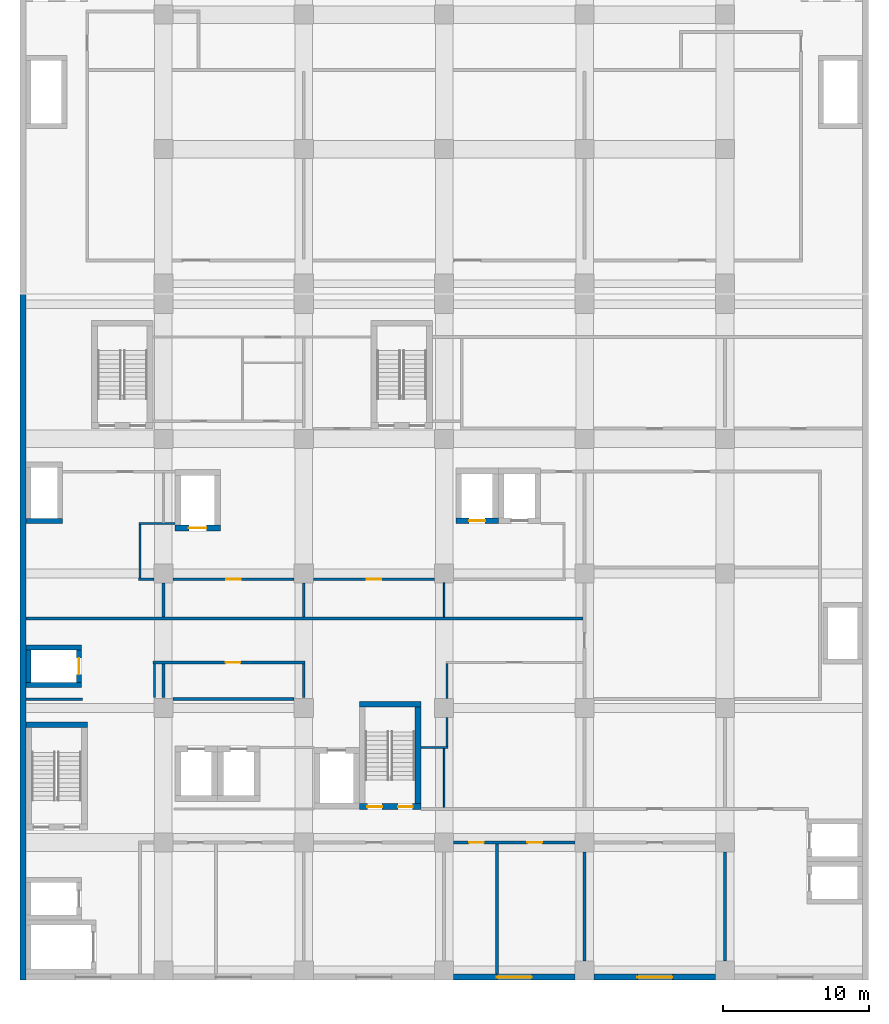
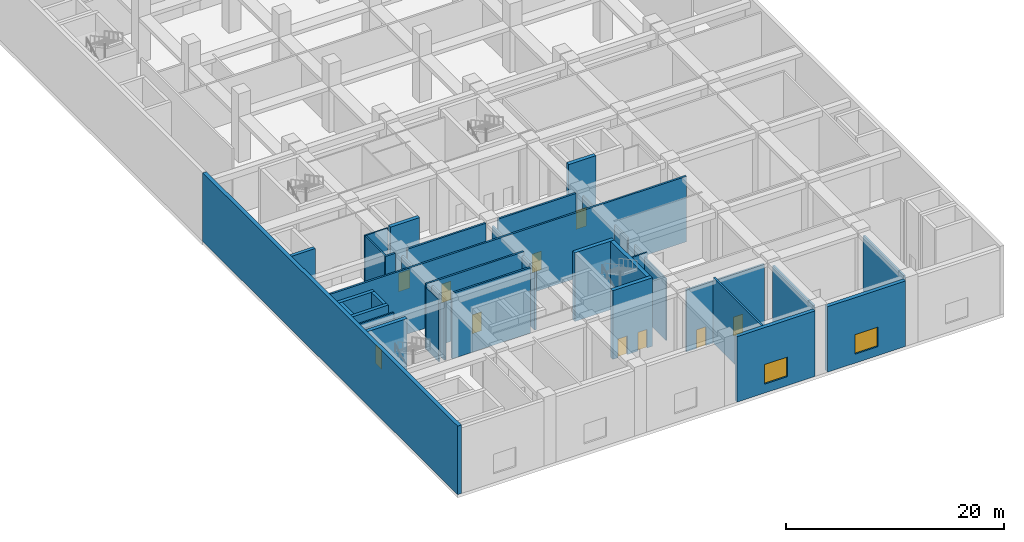
# One storey, part 12 of 33: 37 walls, 10 doors, 2 windows, 12 openings.
"""IFC4 building model written with IfcOpenShell, lengths in metres."""

from ifc_helpers import new_model, si_unit, direction, frame, frame_2d, origin, place, context, subcontext, project, spatial, rectangle, extrude, material, layer, layer_set, layer_usage, type_object, element, fill, save


model = new_model("IFC4")

# Units and contexts
model_context = context("Model", 3, precision=1e-05, world=origin(), true_north=direction((0.0, 1.0)))
body_context = subcontext(model_context, "Body", "Model", "MODEL_VIEW")
ifc_project = project(units=[si_unit("LENGTHUNIT", "METRE"), si_unit("AREAUNIT", "SQUARE_METRE"), si_unit("VOLUMEUNIT", "CUBIC_METRE"), si_unit("PLANEANGLEUNIT", "RADIAN"), si_unit("MASSUNIT", "GRAM", prefix="KILO")], contexts=[model_context])

# Site, building, storey
site_placement = place(None, origin())
site = spatial("IfcSite", under=ifc_project, at=site_placement, CompositionType="ELEMENT")
building_placement = place(site_placement, origin())
building = spatial("IfcBuilding", under=site, at=building_placement, Name="Nzadi Deep Aquarium and Research Tower", CompositionType="ELEMENT")
storey_placement = place(building_placement, frame((0.0, 0.0, 6.5)))
storey = spatial("IfcBuildingStorey", under=building, at=storey_placement, Name="L01", CompositionType="ELEMENT", Elevation=6.5)

# Walls
ifc_material_1 = material(Name="Blockwork masonry", Category="masonry")
ifc_layer_1 = layer(ifc_material_1, 0.10009765625)
ifc_layer_set_1 = layer_set([ifc_layer_1], Name="Blockwork masonry")
wall_type_1 = type_object("IfcWallType", Name="Partition 100 EI 30", PredefinedType="PARTITIONING", material=ifc_layer_set_1)
wall_1_placement = place(storey_placement, frame((28.800048828125, 11.60009765625, 0.0), z_axis=(0.0, 0.0, 1.0), x_axis=(0.0, 1.0, 0.0)))
element("IfcWall", 1, at=wall_1_placement, inside=storey, type_object=wall_type_1, Name="W-Z1-L01-P036", PredefinedType="PARTITIONING", context=body_context, shape_type="SweptSolid", body=[
    extrude(rectangle(XDim=4.02490234375, YDim=0.10009765625, at=frame_2d((2.012451171875, 0.0))), origin(), (0.0, 0.0, 1.0), 6.949951171875),
])
wall_2_placement = place(storey_placement, frame((28.800048828125, 24.60009765625, 0.0), z_axis=(0.0, 0.0, 1.0), x_axis=(0.0, 1.0, 0.0)))
element("IfcWall", 2, at=wall_2_placement, inside=storey, type_object=wall_type_1, Name="W-Z1-L01-P037", PredefinedType="PARTITIONING", context=body_context, shape_type="SweptSolid", body=[
    extrude(rectangle(XDim=2.349853515625, YDim=0.10009765625, at=frame_2d((1.1748046875, 0.0))), origin(), (0.0, 0.0, 1.0), 6.949951171875),
])
ifc_material_2 = material(Name="Blockwork masonry", Category="masonry")
ifc_layer_2 = layer(ifc_material_2, 0.14990234375)
ifc_layer_set_2 = layer_set([ifc_layer_2], Name="Blockwork masonry")
wall_type_2 = type_object("IfcWallType", Name="Partition 150 EI 60", PredefinedType="PARTITIONING", material=ifc_layer_set_2)
wall_3_placement = place(storey_placement, frame((0.2060546875, 19.0, 0.0), z_axis=(0.0, 0.0, 1.0), x_axis=(1.0, 0.0, 0.0)))
element("IfcWall", 3, at=wall_3_placement, inside=storey, type_object=wall_type_2, Name="W-Z1-L01-P001", PredefinedType="PARTITIONING", context=body_context, shape_type="SweptSolid", body=[
    extrude(rectangle(XDim=3.868896484375, YDim=0.14990234375, at=frame_2d((1.9345703125, 0.0))), origin(), (0.0, 0.0, 1.0), 7.35009765625),
])
wall_4_placement = place(storey_placement, frame((8.0, 27.300048828125, 0.0), z_axis=(0.0, 0.0, 1.0), x_axis=(0.0, 1.0, 0.0)))
element("IfcWall", 4, at=wall_4_placement, inside=storey, type_object=wall_type_2, Name="W-Z1-L01-P007", PredefinedType="PARTITIONING", context=body_context, shape_type="SweptSolid", body=[
    extrude(rectangle(XDim=3.625, YDim=0.14990234375, at=frame_2d((1.8125, 0.0))), origin(), (0.0, 0.0, 1.0), 7.35009765625),
])
wall_5_placement = place(storey_placement, frame((7.925048828125, 31.0, 0.0), z_axis=(0.0, 0.0, 1.0), x_axis=(1.0, 0.0, 0.0)))
element("IfcWall", 5, at=wall_5_placement, inside=storey, type_object=wall_type_2, Name="W-Z1-L01-P008", PredefinedType="PARTITIONING", context=body_context, shape_type="SweptSolid", body=[
    extrude(rectangle(XDim=2.468994140625, YDim=0.14990234375, at=frame_2d((1.234375, 0.0))), origin(), (0.0, 0.0, 1.0), 7.35009765625),
])
wall_6_placement = place(storey_placement, frame((27.2060546875, 15.699951171875, 0.0), z_axis=(0.0, 0.0, 1.0), x_axis=(1.0, 0.0, 0.0)))
element("IfcWall", 6, at=wall_6_placement, inside=storey, type_object=wall_type_2, Name="W-Z1-L01-P032", PredefinedType="PARTITIONING", context=body_context, shape_type="SweptSolid", body=[
    extrude(rectangle(XDim=1.868896484375, YDim=0.14990234375, at=frame_2d((0.9345703125, 0.0))), origin(), (0.0, 0.0, 1.0), 7.35009765625),
])
ifc_material_3 = material(Name="Blockwork masonry", Category="masonry")
ifc_layer_3 = layer(ifc_material_3, 0.14990234375)
ifc_layer_set_3 = layer_set([ifc_layer_3], Name="Blockwork masonry")
wall_type_3 = type_object("IfcWallType", Name="Partition 150 EI 60, 6.95 m high", PredefinedType="PARTITIONING", material=ifc_layer_set_3)
wall_7_placement = place(storey_placement, frame((9.0, 19.10009765625, 0.0), z_axis=(0.0, 0.0, 1.0), x_axis=(0.0, 1.0, 0.0)))
element("IfcWall", 7, at=wall_7_placement, inside=storey, type_object=wall_type_3, Name="W-Z1-L01-P012", PredefinedType="PARTITIONING", context=body_context, shape_type="SweptSolid", body=[
    extrude(rectangle(XDim=2.2998046875, YDim=0.14990234375, at=frame_2d((1.14990234375, 0.0))), origin(), (0.0, 0.0, 1.0), 6.949951171875),
])
wall_8_placement = place(storey_placement, frame((29.0, 15.77490234375, 0.0), z_axis=(0.0, 0.0, 1.0), x_axis=(0.0, 1.0, 0.0)))
element("IfcWall", 8, at=wall_8_placement, inside=storey, type_object=wall_type_3, Name="W-Z1-L01-P038", PredefinedType="PARTITIONING", context=body_context, shape_type="SweptSolid", body=[
    extrude(rectangle(XDim=1.97509765625, YDim=0.14990234375, at=frame_2d((0.987548828125, 0.0))), origin(), (0.0, 0.0, 1.0), 6.949951171875),
])
wall_9_placement = place(storey_placement, frame((29.0, 19.050048828125, 0.0), z_axis=(0.0, 0.0, 1.0), x_axis=(0.0, 1.0, 0.0)))
element("IfcWall", 9, at=wall_9_placement, inside=storey, type_object=wall_type_3, Name="W-Z1-L01-P039", PredefinedType="PARTITIONING", context=body_context, shape_type="SweptSolid", body=[
    extrude(rectangle(XDim=2.375, YDim=0.14990234375, at=frame_2d((1.1875, 0.0))), origin(), (0.0, 0.0, 1.0), 6.949951171875),
])
ifc_material_4 = material(Name="Blockwork masonry", Category="masonry")
ifc_layer_4 = layer(ifc_material_4, 0.199951171875)
ifc_layer_set_4 = layer_set([ifc_layer_4], Name="Blockwork masonry")
wall_type_4 = type_object("IfcWallType", Name="Partition 200 EI 120", PredefinedType="PARTITIONING", material=ifc_layer_set_4)
wall_10_placement = place(storey_placement, frame((0.2060546875, 24.5, 0.0), z_axis=(0.0, 0.0, 1.0), x_axis=(1.0, 0.0, 0.0)))
element("IfcWall", 10, at=wall_10_placement, inside=storey, type_object=wall_type_4, Name="W-Z1-L01-P002", PredefinedType="PARTITIONING", context=body_context, shape_type="SweptSolid", body=[
    extrude(rectangle(XDim=38.093994140625, YDim=0.199951171875, at=frame_2d((19.046875, 0.0))), origin(), (0.0, 0.0, 1.0), 7.35009765625),
])
wall_11_placement = place(storey_placement, frame((7.89990234375, 27.199951171875, 0.0), z_axis=(0.0, 0.0, 1.0), x_axis=(1.0, 0.0, 0.0)))
element("IfcWall", 11, at=wall_11_placement, inside=storey, type_object=wall_type_4, Name="W-Z1-L01-P006", PredefinedType="PARTITIONING", context=body_context, shape_type="SweptSolid", body=[
    extrude(rectangle(XDim=1.050048828125, YDim=0.199951171875, at=frame_2d((0.52490234375, 0.0))), origin(), (0.0, 0.0, 1.0), 7.35009765625),
])

# Wall, opening, door
wall_12_placement = place(storey_placement, frame((8.89990234375, 21.5, 0.0), z_axis=(0.0, 0.0, 1.0), x_axis=(1.0, 0.0, 0.0)))
wall_12 = element("IfcWall", 12, at=wall_12_placement, inside=storey, type_object=wall_type_4, Name="W-Z1-L01-P009", PredefinedType="PARTITIONING", context=body_context, shape_type="SweptSolid", body=[
    extrude(rectangle(XDim=10.400146484375, YDim=0.199951171875, at=frame_2d((5.2001953125, 0.0))), origin(), (0.0, 0.0, 1.0), 7.35009765625),
])
opening_1_placement = place(wall_12_placement, frame((4.965087890625, 0.0, 0.0)))
opening_1 = element("IfcOpeningElement", 13, at=opening_1_placement, cuts=wall_12, Name="Opening D021001", PredefinedType="OPENING", context=body_context, shape_type="SweptSolid", body=[
    extrude(rectangle(XDim=1.0, YDim=2.10009765625, at=frame_2d((0.5, 1.050048828125))), frame((0.0, 0.110107421875, 0.0), z_axis=(0.0, -1.0, 0.0), x_axis=(1.0, 0.0, 0.0)), (0.0, 0.0, 1.0), 0.22021484375),
])
ifc_material_5 = material(Name="Fire-rated steel door", Category="steel")
ifc_layer_5 = layer(ifc_material_5, 0.050048828125)
ifc_layer_set_5 = layer_set([ifc_layer_5], Name="Fire-rated steel door")
door_type_1 = type_object("IfcDoorType", Name="Door 1000x2100 EI 120 single", OperationType="SINGLE_SWING_LEFT", PredefinedType="DOOR", material=ifc_layer_set_5)
door_1_placement = place(opening_1_placement, origin())
door_1 = element("IfcDoor", 14, at=door_1_placement, inside=storey, type_object=door_type_1, Name="D021001", OperationType="SINGLE_SWING_RIGHT", OverallHeight=2.10009765625, OverallWidth=1.0, PredefinedType="DOOR", context=body_context, shape_type="SweptSolid", body=[
    extrude(rectangle(XDim=1.0, YDim=2.10009765625, at=frame_2d((0.5, 1.050048828125))), frame((0.0, 0.02490234375, 0.0), z_axis=(0.0, -1.0, 0.0), x_axis=(1.0, 0.0, 0.0)), (0.0, 0.0, 1.0), 0.050048828125),
])
fill(opening_1, door_1)

# Wall
wall_13_placement = place(storey_placement, frame((10.25, 19.0, 0.0), z_axis=(0.0, 0.0, 1.0), x_axis=(1.0, 0.0, 0.0)))
element("IfcWall", 15, at=wall_13_placement, inside=storey, type_object=wall_type_4, Name="W-Z1-L01-P017", PredefinedType="PARTITIONING", context=body_context, shape_type="SweptSolid", body=[
    extrude(rectangle(XDim=8.300048828125, YDim=0.199951171875, at=frame_2d((4.14990234375, 0.0))), origin(), (0.0, 0.0, 1.0), 7.35009765625),
])

# Wall, opening, door
wall_14_placement = place(storey_placement, frame((10.25, 27.199951171875, 0.0), z_axis=(0.0, 0.0, 1.0), x_axis=(1.0, 0.0, 0.0)))
wall_14 = element("IfcWall", 16, at=wall_14_placement, inside=storey, type_object=wall_type_4, Name="W-Z1-L01-P018", PredefinedType="PARTITIONING", context=body_context, shape_type="SweptSolid", body=[
    extrude(rectangle(XDim=8.300048828125, YDim=0.199951171875, at=frame_2d((4.14990234375, 0.0))), origin(), (0.0, 0.0, 1.0), 7.35009765625),
])
opening_2_placement = place(wall_14_placement, frame((3.64990234375, 0.0, 0.0)))
opening_2 = element("IfcOpeningElement", 17, at=opening_2_placement, cuts=wall_14, Name="Opening D021006", PredefinedType="OPENING", context=body_context, shape_type="SweptSolid", body=[
    extrude(rectangle(XDim=1.0, YDim=2.10009765625, at=frame_2d((0.5, 1.050048828125))), frame((0.0, 0.110107421875, 0.0), z_axis=(0.0, -1.0, 0.0), x_axis=(1.0, 0.0, 0.0)), (0.0, 0.0, 1.0), 0.22021484375),
])
door_2_placement = place(opening_2_placement, origin())
door_2 = element("IfcDoor", 18, at=door_2_placement, inside=storey, type_object=door_type_1, Name="D021006", OperationType="SINGLE_SWING_RIGHT", OverallHeight=2.10009765625, OverallWidth=1.0, PredefinedType="DOOR", context=body_context, shape_type="SweptSolid", body=[
    extrude(rectangle(XDim=1.0, YDim=2.10009765625, at=frame_2d((0.5, 1.050048828125))), frame((0.0, 0.02490234375, 0.0), z_axis=(0.0, -1.0, 0.0), x_axis=(1.0, 0.0, 0.0)), (0.0, 0.0, 1.0), 0.050048828125),
])
fill(opening_2, door_2)

wall_15_placement = place(storey_placement, frame((19.85009765625, 27.199951171875, 0.0), z_axis=(0.0, 0.0, 1.0), x_axis=(1.0, 0.0, 0.0)))
wall_15 = element("IfcWall", 19, at=wall_15_placement, inside=storey, type_object=wall_type_4, Name="W-Z1-L01-P029", PredefinedType="PARTITIONING", context=body_context, shape_type="SweptSolid", body=[
    extrude(rectangle(XDim=8.2998046875, YDim=0.199951171875, at=frame_2d((4.14990234375, 0.0))), origin(), (0.0, 0.0, 1.0), 7.35009765625),
])
opening_3_placement = place(wall_15_placement, frame((3.64990234375, 0.0, 0.0)))
opening_3 = element("IfcOpeningElement", 20, at=opening_3_placement, cuts=wall_15, Name="Opening D021007", PredefinedType="OPENING", context=body_context, shape_type="SweptSolid", body=[
    extrude(rectangle(XDim=1.0, YDim=2.10009765625, at=frame_2d((0.5, 1.050048828125))), frame((0.0, 0.110107421875, 0.0), z_axis=(0.0, -1.0, 0.0), x_axis=(1.0, 0.0, 0.0)), (0.0, 0.0, 1.0), 0.22021484375),
])
door_3_placement = place(opening_3_placement, origin())
door_3 = element("IfcDoor", 21, at=door_3_placement, inside=storey, type_object=door_type_1, Name="D021007", OperationType="SINGLE_SWING_RIGHT", OverallHeight=2.10009765625, OverallWidth=1.0, PredefinedType="DOOR", context=body_context, shape_type="SweptSolid", body=[
    extrude(rectangle(XDim=1.0, YDim=2.10009765625, at=frame_2d((0.5, 1.050048828125))), frame((0.0, 0.02490234375, 0.0), z_axis=(0.0, -1.0, 0.0), x_axis=(1.0, 0.0, 0.0)), (0.0, 0.0, 1.0), 0.050048828125),
])
fill(opening_3, door_3)

# Walls
wall_16_placement = place(storey_placement, frame((32.39990234375, 0.2060546875, 0.0), z_axis=(0.0, 0.0, 1.0), x_axis=(0.0, 1.0, 0.0)))
element("IfcWall", 22, at=wall_16_placement, inside=storey, type_object=wall_type_4, Name="W-Z1-L01-P045", PredefinedType="PARTITIONING", context=body_context, shape_type="SweptSolid", body=[
    extrude(rectangle(XDim=8.89404296875, YDim=0.199951171875, at=frame_2d((4.447021484375, 0.0))), origin(), (0.0, 0.0, 1.0), 7.35009765625),
])
ifc_material_6 = material(Name="Blockwork masonry", Category="masonry")
ifc_layer_6 = layer(ifc_material_6, 0.199951171875)
ifc_layer_set_6 = layer_set([ifc_layer_6], Name="Blockwork masonry")
wall_type_5 = type_object("IfcWallType", Name="Partition 200 EI 120, 6.95 m high", PredefinedType="PARTITIONING", material=ifc_layer_set_6)
wall_17_placement = place(storey_placement, frame((9.60009765625, 19.10009765625, 0.0), z_axis=(0.0, 0.0, 1.0), x_axis=(0.0, 1.0, 0.0)))
element("IfcWall", 23, at=wall_17_placement, inside=storey, type_object=wall_type_5, Name="W-Z1-L01-P013", PredefinedType="PARTITIONING", context=body_context, shape_type="SweptSolid", body=[
    extrude(rectangle(XDim=2.2998046875, YDim=0.199951171875, at=frame_2d((1.14990234375, 0.0))), origin(), (0.0, 0.0, 1.0), 6.949951171875),
])
wall_18_placement = place(storey_placement, frame((9.60009765625, 24.60009765625, 0.0), z_axis=(0.0, 0.0, 1.0), x_axis=(0.0, 1.0, 0.0)))
element("IfcWall", 24, at=wall_18_placement, inside=storey, type_object=wall_type_5, Name="W-Z1-L01-P014", PredefinedType="PARTITIONING", context=body_context, shape_type="SweptSolid", body=[
    extrude(rectangle(XDim=2.349853515625, YDim=0.199951171875, at=frame_2d((1.1748046875, 0.0))), origin(), (0.0, 0.0, 1.0), 6.949951171875),
])
wall_19_placement = place(storey_placement, frame((19.199951171875, 19.10009765625, 0.0), z_axis=(0.0, 0.0, 1.0), x_axis=(0.0, 1.0, 0.0)))
element("IfcWall", 25, at=wall_19_placement, inside=storey, type_object=wall_type_5, Name="W-Z1-L01-P025", PredefinedType="PARTITIONING", context=body_context, shape_type="SweptSolid", body=[
    extrude(rectangle(XDim=2.2998046875, YDim=0.199951171875, at=frame_2d((1.14990234375, 0.0))), origin(), (0.0, 0.0, 1.0), 6.949951171875),
])
wall_20_placement = place(storey_placement, frame((19.199951171875, 24.60009765625, 0.0), z_axis=(0.0, 0.0, 1.0), x_axis=(0.0, 1.0, 0.0)))
element("IfcWall", 26, at=wall_20_placement, inside=storey, type_object=wall_type_5, Name="W-Z1-L01-P026", PredefinedType="PARTITIONING", context=body_context, shape_type="SweptSolid", body=[
    extrude(rectangle(XDim=2.349853515625, YDim=0.199951171875, at=frame_2d((1.1748046875, 0.0))), origin(), (0.0, 0.0, 1.0), 6.949951171875),
])

# Wall, openings, doors
wall_21_placement = place(storey_placement, frame((29.449951171875, 9.199951171875, 0.0), z_axis=(0.0, 0.0, 1.0), x_axis=(1.0, 0.0, 0.0)))
wall_21 = element("IfcWall", 27, at=wall_21_placement, inside=storey, type_object=wall_type_5, Name="W-Z1-L01-P041", PredefinedType="PARTITIONING", context=body_context, shape_type="SweptSolid", body=[
    extrude(rectangle(XDim=8.300048828125, YDim=0.199951171875, at=frame_2d((4.14990234375, 0.0))), origin(), (0.0, 0.0, 1.0), 6.949951171875),
])
opening_4_placement = place(wall_21_placement, frame((1.06005859375, 0.0, 0.0)))
opening_4 = element("IfcOpeningElement", 28, at=opening_4_placement, cuts=wall_21, Name="Opening D021012", PredefinedType="OPENING", context=body_context, shape_type="SweptSolid", body=[
    extrude(rectangle(XDim=1.0, YDim=2.10009765625, at=frame_2d((0.5, 1.050048828125))), frame((0.0, 0.110107421875, 0.0), z_axis=(0.0, -1.0, 0.0), x_axis=(1.0, 0.0, 0.0)), (0.0, 0.0, 1.0), 0.22021484375),
])
opening_5_placement = place(wall_21_placement, frame((5.0400390625, 0.0, 0.0)))
opening_5 = element("IfcOpeningElement", 29, at=opening_5_placement, cuts=wall_21, Name="Opening D021013", PredefinedType="OPENING", context=body_context, shape_type="SweptSolid", body=[
    extrude(rectangle(XDim=1.0, YDim=2.10009765625, at=frame_2d((0.5, 1.050048828125))), frame((0.0, 0.110107421875, 0.0), z_axis=(0.0, -1.0, 0.0), x_axis=(1.0, 0.0, 0.0)), (0.0, 0.0, 1.0), 0.22021484375),
])
door_4_placement = place(opening_4_placement, origin())
door_4 = element("IfcDoor", 30, at=door_4_placement, inside=storey, type_object=door_type_1, Name="D021012", OperationType="SINGLE_SWING_LEFT", OverallHeight=2.10009765625, OverallWidth=1.0, PredefinedType="DOOR", context=body_context, shape_type="SweptSolid", body=[
    extrude(rectangle(XDim=1.0, YDim=2.10009765625, at=frame_2d((0.5, 1.050048828125))), frame((0.0, 0.02490234375, 0.0), z_axis=(0.0, -1.0, 0.0), x_axis=(1.0, 0.0, 0.0)), (0.0, 0.0, 1.0), 0.050048828125),
])
fill(opening_4, door_4)
door_5_placement = place(opening_5_placement, origin())
door_5 = element("IfcDoor", 31, at=door_5_placement, inside=storey, type_object=door_type_1, Name="D021013", OperationType="SINGLE_SWING_RIGHT", OverallHeight=2.10009765625, OverallWidth=1.0, PredefinedType="DOOR", context=body_context, shape_type="SweptSolid", body=[
    extrude(rectangle(XDim=1.0, YDim=2.10009765625, at=frame_2d((0.5, 1.050048828125))), frame((0.0, 0.02490234375, 0.0), z_axis=(0.0, -1.0, 0.0), x_axis=(1.0, 0.0, 0.0)), (0.0, 0.0, 1.0), 0.050048828125),
])
fill(opening_5, door_5)

# Walls
for number, where, z_axis, x_axis, name in (
    (32, (38.39990234375, 1.10009765625, 0.0), (0.0, 0.0, 1.0), (0.0, 1.0, 0.0), "W-Z1-L01-P049"),
    (33, (48.0, 1.10009765625, 0.0), (0.0, 0.0, 1.0), (0.0, 1.0, 0.0), "W-Z1-L01-P057"),
):
    element("IfcWall", number, at=place(storey_placement, frame(where, z_axis=z_axis, x_axis=x_axis)), inside=storey, type_object=wall_type_5, Name=name, PredefinedType="PARTITIONING", context=body_context, shape_type="SweptSolid", body=[
        extrude(rectangle(XDim=7.449951171875, YDim=0.199951171875, at=frame_2d((3.72509765625, 0.0))), origin(), (0.0, 0.0, 1.0), 6.949951171875),
    ])
ifc_material_7 = material(Name="Concrete C35/45", Category="concrete")
ifc_layer_7 = layer(ifc_material_7, 0.35009765625)
ifc_layer_set_7 = layer_set([ifc_layer_7], Name="Concrete C35/45")
wall_type_6 = type_object("IfcWallType", Name="RC core wall 350, 7.50 to 7.70 m high", PredefinedType="SHEAR", material=ifc_layer_set_7)
for number, where, z_axis, x_axis, name in (
    (34, (0.199951171875, 19.97509765625, 0.0), (0.0, 0.0, 1.0), (1.0, 0.0, 0.0), "W-CORE-PL1-L01-S"),
    (35, (0.199951171875, 22.52490234375, 0.0), (0.0, 0.0, 1.0), (1.0, 0.0, 0.0), "W-CORE-PL1-L01-N"),
):
    element("IfcWall", number, at=place(storey_placement, frame(where, z_axis=z_axis, x_axis=x_axis)), inside=storey, type_object=wall_type_6, Name=name, PredefinedType="SHEAR", context=body_context, shape_type="SweptSolid", body=[
        extrude(rectangle(XDim=3.800048828125, YDim=0.35009765625, at=frame_2d((1.89990234375, 0.0))), origin(), (0.0, 0.0, 1.0), 7.699951171875),
    ])
wall_22_placement = place(storey_placement, frame((0.375, 20.14990234375, 0.0), z_axis=(0.0, 0.0, 1.0), x_axis=(0.0, 1.0, 0.0)))
element("IfcWall", 36, at=wall_22_placement, inside=storey, type_object=wall_type_6, Name="W-CORE-PL1-L01-W", PredefinedType="SHEAR", context=body_context, shape_type="SweptSolid", body=[
    extrude(rectangle(XDim=2.2001953125, YDim=0.35009765625, at=frame_2d((1.10009765625, 0.0))), origin(), (0.0, 0.0, 1.0), 7.699951171875),
])

# Wall, opening, door
wall_23_placement = place(storey_placement, frame((3.824951171875, 20.14990234375, 0.0), z_axis=(0.0, 0.0, 1.0), x_axis=(0.0, 1.0, 0.0)))
wall_23 = element("IfcWall", 37, at=wall_23_placement, inside=storey, type_object=wall_type_6, Name="W-CORE-PL1-L01-E", PredefinedType="SHEAR", context=body_context, shape_type="SweptSolid", body=[
    extrude(rectangle(XDim=2.2001953125, YDim=0.35009765625, at=frame_2d((1.10009765625, 0.0))), origin(), (0.0, 0.0, 1.0), 7.699951171875),
])
opening_6_placement = place(wall_23_placement, frame((0.550048828125, 0.0, 0.0)))
opening_6 = element("IfcOpeningElement", 38, at=opening_6_placement, cuts=wall_23, Name="Opening LD-PL1-L01", PredefinedType="OPENING", context=body_context, shape_type="SweptSolid", body=[
    extrude(rectangle(XDim=1.10009765625, YDim=2.10009765625, at=frame_2d((0.550048828125, 1.050048828125))), frame((0.0, 0.18505859375, 0.0), z_axis=(0.0, -1.0, 0.0), x_axis=(1.0, 0.0, 0.0)), (0.0, 0.0, 1.0), 0.3701171875),
])
ifc_material_8 = material(Name="Stainless steel 1.4301", Category="steel")
door_type_2 = type_object("IfcDoorType", Name="LANDING DOOR 1100x2100", OperationType="DOUBLE_DOOR_SLIDING", PredefinedType="DOOR", material=ifc_material_8)
door_6_placement = place(opening_6_placement, origin())
door_6 = element("IfcDoor", 39, at=door_6_placement, inside=storey, type_object=door_type_2, Name="Landing door PL1 L01", OperationType="DOUBLE_DOOR_SLIDING", OverallHeight=2.10009765625, OverallWidth=1.10009765625, PredefinedType="DOOR", context=body_context, shape_type="SweptSolid", body=[
    extrude(rectangle(XDim=1.10009765625, YDim=2.10009765625, at=frame_2d((0.550048828125, 1.050048828125))), frame((0.0, 0.02490234375, 0.0), z_axis=(0.0, -1.0, 0.0), x_axis=(1.0, 0.0, 0.0)), (0.0, 0.0, 1.0), 0.050048828125),
])
fill(opening_6, door_6)

# Walls
wall_24_placement = place(storey_placement, frame((0.199951171875, 31.175048828125, 0.0), z_axis=(0.0, 0.0, 1.0), x_axis=(1.0, 0.0, 0.0)))
element("IfcWall", 40, at=wall_24_placement, inside=storey, type_object=wall_type_6, Name="W-CORE-RS-Z1-W-L01-S", PredefinedType="SHEAR", context=body_context, shape_type="SweptSolid", body=[
    extrude(rectangle(XDim=2.5, YDim=0.35009765625, at=frame_2d((1.25, 0.0))), origin(), (0.0, 0.0, 1.0), 7.699951171875),
])
ifc_material_9 = material(Name="Concrete C35/45", Category="concrete")
ifc_layer_8 = layer(ifc_material_9, 0.39990234375)
ifc_layer_set_8 = layer_set([ifc_layer_8], Name="Concrete C35/45")
wall_type_7 = type_object("IfcWallType", Name="RC core wall 400, 7.50 to 7.70 m high", PredefinedType="SHEAR", material=ifc_layer_set_8)
wall_25_placement = place(storey_placement, frame((0.199951171875, 17.25, 0.0), z_axis=(0.0, 0.0, 1.0), x_axis=(1.0, 0.0, 0.0)))
element("IfcWall", 41, at=wall_25_placement, inside=storey, type_object=wall_type_7, Name="W-CORE-ST-Z1-SW-L01-N", PredefinedType="SHEAR", context=body_context, shape_type="SweptSolid", body=[
    extrude(rectangle(XDim=4.199951171875, YDim=0.39990234375, at=frame_2d((2.10009765625, 0.0))), origin(), (0.0, 0.0, 1.0), 7.699951171875),
])

# Wall, openings, doors
wall_26_placement = place(storey_placement, frame((23.0, 11.64990234375, 0.0), z_axis=(0.0, 0.0, 1.0), x_axis=(1.0, 0.0, 0.0)))
wall_26 = element("IfcWall", 42, at=wall_26_placement, inside=storey, type_object=wall_type_7, Name="W-CORE-ST-Z1-SE-L01-S", PredefinedType="SHEAR", context=body_context, shape_type="SweptSolid", body=[
    extrude(rectangle(XDim=4.199951171875, YDim=0.39990234375, at=frame_2d((2.10009765625, 0.0))), origin(), (0.0, 0.0, 1.0), 7.699951171875),
])
opening_7_placement = place(wall_26_placement, frame((0.550048828125, 0.0, 0.0)))
opening_7 = element("IfcOpeningElement", 43, at=opening_7_placement, cuts=wall_26, Name="Opening DS-Z1-SE-L01A", PredefinedType="OPENING", context=body_context, shape_type="SweptSolid", body=[
    extrude(rectangle(XDim=1.0, YDim=2.10009765625, at=frame_2d((0.5, 1.050048828125))), frame((0.0, 0.2099609375, 0.0), z_axis=(0.0, -1.0, 0.0), x_axis=(1.0, 0.0, 0.0)), (0.0, 0.0, 1.0), 0.419921875),
])
opening_8_placement = place(wall_26_placement, frame((2.64990234375, 0.0, 0.0)))
opening_8 = element("IfcOpeningElement", 44, at=opening_8_placement, cuts=wall_26, Name="Opening DS-Z1-SE-L01B", PredefinedType="OPENING", context=body_context, shape_type="SweptSolid", body=[
    extrude(rectangle(XDim=1.0, YDim=2.10009765625, at=frame_2d((0.5, 1.050048828125))), frame((0.0, 0.2099609375, 0.0), z_axis=(0.0, -1.0, 0.0), x_axis=(1.0, 0.0, 0.0)), (0.0, 0.0, 1.0), 0.419921875),
])
ifc_material_10 = material(Name="Steel, powder coated", Category="steel")
door_type_3 = type_object("IfcDoorType", Name="STAIR DOOR 1000x2100 EI 60", OperationType="SINGLE_SWING_LEFT", PredefinedType="DOOR", material=ifc_material_10)
door_7_placement = place(opening_7_placement, origin())
door_7 = element("IfcDoor", 45, at=door_7_placement, inside=storey, type_object=door_type_3, Name="Stair door ST-Z1-SE L01 A", OperationType="SINGLE_SWING_RIGHT", OverallHeight=2.10009765625, OverallWidth=1.0, PredefinedType="DOOR", context=body_context, shape_type="SweptSolid", body=[
    extrude(rectangle(XDim=1.0, YDim=2.10009765625, at=frame_2d((0.5, 1.050048828125))), frame((0.0, 0.02490234375, 0.0), z_axis=(0.0, -1.0, 0.0), x_axis=(1.0, 0.0, 0.0)), (0.0, 0.0, 1.0), 0.050048828125),
])
fill(opening_7, door_7)
door_8_placement = place(opening_8_placement, origin())
door_8 = element("IfcDoor", 46, at=door_8_placement, inside=storey, type_object=door_type_3, Name="Stair door ST-Z1-SE L01 B", OperationType="SINGLE_SWING_LEFT", OverallHeight=2.10009765625, OverallWidth=1.0, PredefinedType="DOOR", context=body_context, shape_type="SweptSolid", body=[
    extrude(rectangle(XDim=1.0, YDim=2.10009765625, at=frame_2d((0.5, 1.050048828125))), frame((0.0, 0.02490234375, 0.0), z_axis=(0.0, -1.0, 0.0), x_axis=(1.0, 0.0, 0.0)), (0.0, 0.0, 1.0), 0.050048828125),
])
fill(opening_8, door_8)

# Walls
wall_27_placement = place(storey_placement, frame((23.0, 18.64990234375, 0.0), z_axis=(0.0, 0.0, 1.0), x_axis=(1.0, 0.0, 0.0)))
element("IfcWall", 47, at=wall_27_placement, inside=storey, type_object=wall_type_7, Name="W-CORE-ST-Z1-SE-L01-N", PredefinedType="SHEAR", context=body_context, shape_type="SweptSolid", body=[
    extrude(rectangle(XDim=4.199951171875, YDim=0.39990234375, at=frame_2d((2.10009765625, 0.0))), origin(), (0.0, 0.0, 1.0), 7.699951171875),
])
wall_28_placement = place(storey_placement, frame((27.0, 11.85009765625, 0.0), z_axis=(0.0, 0.0, 1.0), x_axis=(0.0, 1.0, 0.0)))
element("IfcWall", 48, at=wall_28_placement, inside=storey, type_object=wall_type_7, Name="W-CORE-ST-Z1-SE-L01-E", PredefinedType="SHEAR", context=body_context, shape_type="SweptSolid", body=[
    extrude(rectangle(XDim=6.599853515625, YDim=0.39990234375, at=frame_2d((3.2998046875, 0.0))), origin(), (0.0, 0.0, 1.0), 7.699951171875),
])

# Wall, opening, door
wall_29_placement = place(storey_placement, frame((10.39990234375, 30.699951171875, 0.0), z_axis=(0.0, 0.0, 1.0), x_axis=(1.0, 0.0, 0.0)))
wall_29 = element("IfcWall", 49, at=wall_29_placement, inside=storey, type_object=wall_type_7, Name="W-CORE-FL2-L01-S", PredefinedType="SHEAR", context=body_context, shape_type="SweptSolid", body=[
    extrude(rectangle(XDim=3.10009765625, YDim=0.39990234375, at=frame_2d((1.550048828125, 0.0))), origin(), (0.0, 0.0, 1.0), 7.699951171875),
])
opening_9_placement = place(wall_29_placement, frame((0.949951171875, 0.0, 0.0)))
opening_9 = element("IfcOpeningElement", 50, at=opening_9_placement, cuts=wall_29, Name="Opening LD-FL2-L01", PredefinedType="OPENING", context=body_context, shape_type="SweptSolid", body=[
    extrude(rectangle(XDim=1.199951171875, YDim=2.10009765625, at=frame_2d((0.60009765625, 1.050048828125))), frame((0.0, 0.2099609375, 0.0), z_axis=(0.0, -1.0, 0.0), x_axis=(1.0, 0.0, 0.0)), (0.0, 0.0, 1.0), 0.419921875),
])
ifc_material_11 = material(Name="Stainless steel 1.4301", Category="steel")
door_type_4 = type_object("IfcDoorType", Name="LANDING DOOR 1200x2100", OperationType="DOUBLE_DOOR_SLIDING", PredefinedType="DOOR", material=ifc_material_11)
door_9_placement = place(opening_9_placement, origin())
door_9 = element("IfcDoor", 51, at=door_9_placement, inside=storey, type_object=door_type_4, Name="Landing door FL2 L01", OperationType="DOUBLE_DOOR_SLIDING", OverallHeight=2.10009765625, OverallWidth=1.199951171875, PredefinedType="DOOR", context=body_context, shape_type="SweptSolid", body=[
    extrude(rectangle(XDim=1.199951171875, YDim=2.10009765625, at=frame_2d((0.60009765625, 1.050048828125))), frame((0.0, 0.02490234375, 0.0), z_axis=(0.0, -1.0, 0.0), x_axis=(1.0, 0.0, 0.0)), (0.0, 0.0, 1.0), 0.050048828125),
])
fill(opening_9, door_9)

wall_30_placement = place(storey_placement, frame((29.60009765625, 31.199951171875, 0.0), z_axis=(0.0, 0.0, 1.0), x_axis=(1.0, 0.0, 0.0)))
wall_30 = element("IfcWall", 52, at=wall_30_placement, inside=storey, type_object=wall_type_7, Name="W-CORE-TL3-L01-S", PredefinedType="SHEAR", context=body_context, shape_type="SweptSolid", body=[
    extrude(rectangle(XDim=2.89990234375, YDim=0.39990234375, at=frame_2d((1.449951171875, 0.0))), origin(), (0.0, 0.0, 1.0), 7.699951171875),
])
opening_10_placement = place(wall_30_placement, frame((0.89990234375, 0.0, 0.0)))
opening_10 = element("IfcOpeningElement", 53, at=opening_10_placement, cuts=wall_30, Name="Opening LD-TL3-L01", PredefinedType="OPENING", context=body_context, shape_type="SweptSolid", body=[
    extrude(rectangle(XDim=1.10009765625, YDim=2.10009765625, at=frame_2d((0.550048828125, 1.050048828125))), frame((0.0, 0.2099609375, 0.0), z_axis=(0.0, -1.0, 0.0), x_axis=(1.0, 0.0, 0.0)), (0.0, 0.0, 1.0), 0.419921875),
])
door_10_placement = place(opening_10_placement, origin())
door_10 = element("IfcDoor", 54, at=door_10_placement, inside=storey, type_object=door_type_2, Name="Landing door TL3 L01", OperationType="DOUBLE_DOOR_SLIDING", OverallHeight=2.10009765625, OverallWidth=1.10009765625, PredefinedType="DOOR", context=body_context, shape_type="SweptSolid", body=[
    extrude(rectangle(XDim=1.10009765625, YDim=2.10009765625, at=frame_2d((0.550048828125, 1.050048828125))), frame((0.0, 0.02490234375, 0.0), z_axis=(0.0, -1.0, 0.0), x_axis=(1.0, 0.0, 0.0)), (0.0, 0.0, 1.0), 0.050048828125),
])
fill(opening_10, door_10)

# Wall
ifc_material_12 = material(Name="Concrete C35/45", Category="concrete")
ifc_layer_9 = layer(ifc_material_12, 0.39990234375)
ifc_layer_set_9 = layer_set([ifc_layer_9], Name="Concrete C35/45")
wall_type_8 = type_object("IfcWallType", Name="RC party wall 400, 7.50 to 7.70 m high", PredefinedType="SHEAR", material=ifc_layer_set_9)
wall_31_placement = place(storey_placement, frame((0.00048828125, -0.199951171875, 0.0), z_axis=(0.0, 0.0, 1.0), x_axis=(0.0, 1.0, 0.0)))
element("IfcWall", 55, at=wall_31_placement, inside=storey, type_object=wall_type_8, Name="W-PTY-Z1-L01-W", PredefinedType="SHEAR", context=body_context, shape_type="SweptSolid", body=[
    extrude(rectangle(XDim=46.8798828125, YDim=0.39990234375, at=frame_2d((23.43994140625, 0.0))), origin(), (0.0, 0.0, 1.0), 7.699951171875),
])

# Wall, opening, window
ifc_material_13 = material(Name="Concrete C35/45", Category="concrete")
ifc_layer_10 = layer(ifc_material_13, 0.25, Category="cladding")
ifc_material_14 = material(Name="Mineral wool insulation")
ifc_layer_11 = layer(ifc_material_14, 0.10009765625, Category="insulation")
ifc_material_15 = material(Name="Concrete block lining", Category="concrete")
ifc_layer_12 = layer(ifc_material_15, 0.050048828125, Category="lining")
ifc_layer_set_10 = layer_set([ifc_layer_10, ifc_layer_11, ifc_layer_12], Name="Concrete C35/45, Mineral wool insulation, Concrete block lining")
ifc_layer_usage_1 = layer_usage(ifc_layer_set_10, "AXIS2", "POSITIVE", -0.199951171875)
wall_type_9 = type_object("IfcWallType", Name="South end wall board-formed concrete 400", PredefinedType="ELEMENTEDWALL", material=ifc_layer_set_10)
wall_32_placement = place(storey_placement, frame((29.449951171875, 0.0, 0.0), z_axis=(0.0, 0.0, 1.0), x_axis=(1.0, 0.0, 0.0)))
wall_32 = element("IfcWall", 56, at=wall_32_placement, inside=storey, type_object=wall_type_9, material=ifc_layer_usage_1, Name="South end wall L01", PredefinedType="ELEMENTEDWALL", context=body_context, shape_type="SweptSolid", body=[
    extrude(rectangle(XDim=8.300048828125, YDim=0.39990234375, at=frame_2d((4.14990234375, 0.0))), origin(), (0.0, 0.0, 1.0), 7.35009765625),
])
opening_11_placement = place(wall_32_placement, frame((2.949951171875, 0.0, 1.0)))
opening_11 = element("IfcOpeningElement", 57, at=opening_11_placement, cuts=wall_32, Name="Opening WN09", PredefinedType="OPENING", context=body_context, shape_type="SweptSolid", body=[
    extrude(rectangle(XDim=2.39990234375, YDim=2.199951171875, at=frame_2d((1.199951171875, 1.10009765625))), frame((0.0, 0.2099609375, 0.0), z_axis=(0.0, -1.0, 0.0), x_axis=(1.0, 0.0, 0.0)), (0.0, 0.0, 1.0), 0.419921875),
])
ifc_material_16 = material(Name="Aluminium framed glazing", Category="aluminium")
window_type = type_object("IfcWindowType", Name="Punched window 2400x2200 sill 1000", PartitioningType="SINGLE_PANEL", PredefinedType="WINDOW", material=ifc_material_16)
window_1_placement = place(opening_11_placement, origin())
window_1 = element("IfcWindow", 58, at=window_1_placement, inside=storey, type_object=window_type, Name="Podium south face window L01", OverallHeight=2.199951171875, OverallWidth=2.39990234375, PartitioningType="SINGLE_PANEL", PredefinedType="WINDOW", context=body_context, shape_type="SweptSolid", body=[
    extrude(rectangle(XDim=2.39990234375, YDim=2.199951171875, at=frame_2d((1.199951171875, 1.10009765625))), frame((0.0, 0.030029296875, 0.0), z_axis=(0.0, -1.0, 0.0), x_axis=(1.0, 0.0, 0.0)), (0.0, 0.0, 1.0), 0.06005859375),
])
fill(opening_11, window_1)

ifc_layer_usage_2 = layer_usage(ifc_layer_set_10, "AXIS2", "POSITIVE", -0.199951171875)
wall_33_placement = place(storey_placement, frame((39.050048828125, 0.0, 0.0), z_axis=(0.0, 0.0, 1.0), x_axis=(1.0, 0.0, 0.0)))
wall_33 = element("IfcWall", 59, at=wall_33_placement, inside=storey, type_object=wall_type_9, material=ifc_layer_usage_2, Name="South end wall L01", PredefinedType="ELEMENTEDWALL", context=body_context, shape_type="SweptSolid", body=[
    extrude(rectangle(XDim=8.300048828125, YDim=0.39990234375, at=frame_2d((4.14990234375, 0.0))), origin(), (0.0, 0.0, 1.0), 7.35009765625),
])
opening_12_placement = place(wall_33_placement, frame((2.949951171875, 0.0, 1.0)))
opening_12 = element("IfcOpeningElement", 60, at=opening_12_placement, cuts=wall_33, Name="Opening WN09", PredefinedType="OPENING", context=body_context, shape_type="SweptSolid", body=[
    extrude(rectangle(XDim=2.39990234375, YDim=2.199951171875, at=frame_2d((1.199951171875, 1.10009765625))), frame((0.0, 0.2099609375, 0.0), z_axis=(0.0, -1.0, 0.0), x_axis=(1.0, 0.0, 0.0)), (0.0, 0.0, 1.0), 0.419921875),
])
window_2_placement = place(opening_12_placement, origin())
window_2 = element("IfcWindow", 61, at=window_2_placement, inside=storey, type_object=window_type, Name="Podium south face window L01", OverallHeight=2.199951171875, OverallWidth=2.39990234375, PartitioningType="SINGLE_PANEL", PredefinedType="WINDOW", context=body_context, shape_type="SweptSolid", body=[
    extrude(rectangle(XDim=2.39990234375, YDim=2.199951171875, at=frame_2d((1.199951171875, 1.10009765625))), frame((0.0, 0.030029296875, 0.0), z_axis=(0.0, -1.0, 0.0), x_axis=(1.0, 0.0, 0.0)), (0.0, 0.0, 1.0), 0.06005859375),
])
fill(opening_12, window_2)

save(model, "model.ifc")
